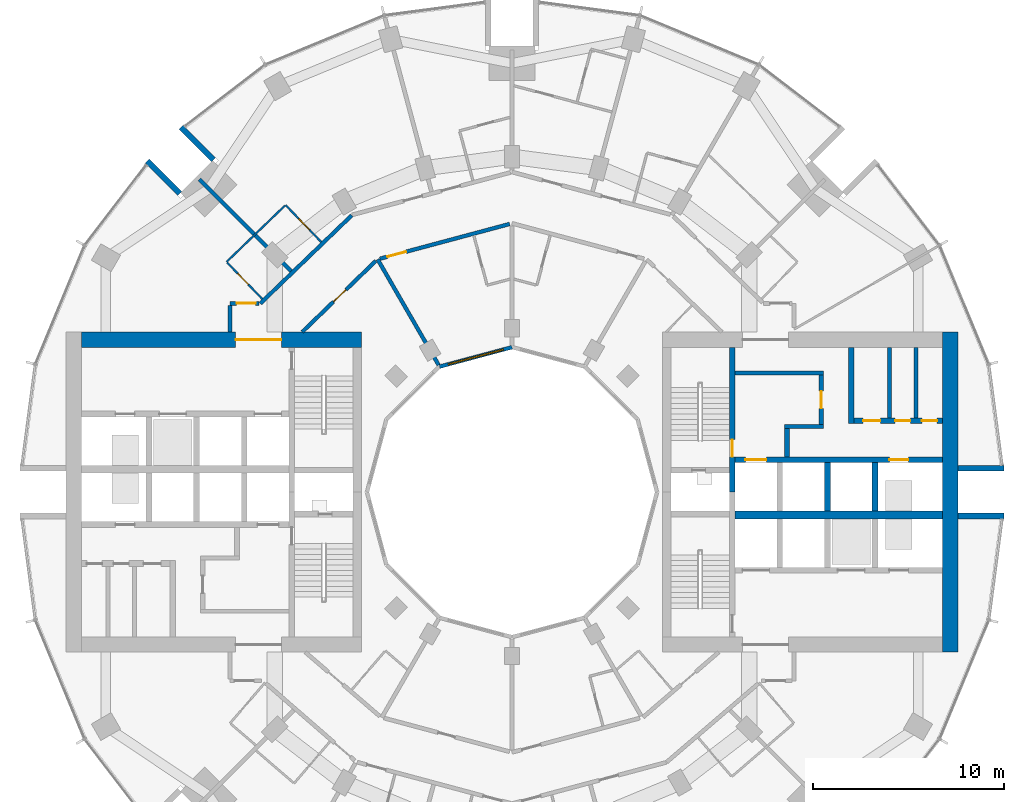
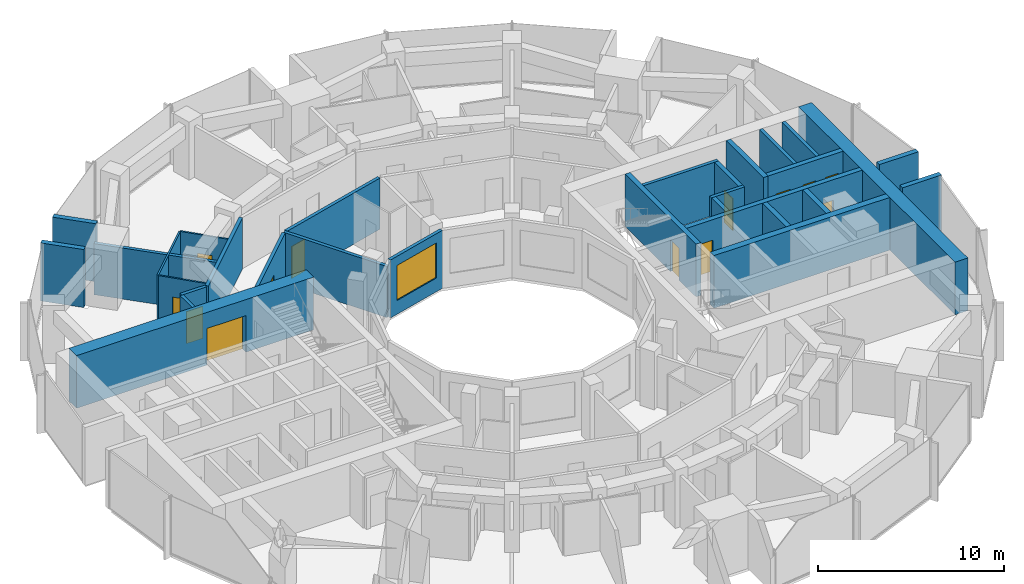
# One storey, part 11 of 15: 30 walls, 13 doors, 1 window, 14 openings.
"""IFC4 building model written with IfcOpenShell, lengths in metres."""

from ifc_helpers import new_model, si_unit, direction, frame, frame_2d, origin, place, context, subcontext, project, spatial, rectangle, extrude, material, layer, layer_set, type_object, element, fill, save


model = new_model("IFC4")

# Units and contexts
model_context = context("Model", 3, precision=1e-05, world=origin(), true_north=direction((0.0, 1.0)))
body_context = subcontext(model_context, "Body", "Model", "MODEL_VIEW")
ifc_project = project(units=[si_unit("LENGTHUNIT", "METRE"), si_unit("AREAUNIT", "SQUARE_METRE"), si_unit("VOLUMEUNIT", "CUBIC_METRE"), si_unit("PLANEANGLEUNIT", "RADIAN"), si_unit("MASSUNIT", "GRAM", prefix="KILO")], contexts=[model_context])

# Site, building, storey
site_placement = place(None, origin())
site = spatial("IfcSite", under=ifc_project, at=site_placement, CompositionType="ELEMENT")
building_placement = place(site_placement, origin())
building = spatial("IfcBuilding", under=site, at=building_placement, Name="Torre Brocal", CompositionType="ELEMENT")
storey_placement = place(building_placement, frame((0.0, 0.0, 105.199951171875)))
storey = spatial("IfcBuildingStorey", under=building, at=storey_placement, Name="L24", CompositionType="ELEMENT", Elevation=105.199951171875)

# Walls
ifc_material_1 = material(Name="Masonry block", Category="masonry")
ifc_layer_1 = layer(ifc_material_1, 0.199951171875)
ifc_layer_set_1 = layer_set([ifc_layer_1], Name="Masonry block")
wall_type_1 = type_object("IfcWallType", Name="CORE PARTITION 200 UNDER 350 SLAB", PredefinedType="PARTITIONING", material=ifc_layer_set_1)
for number, where, z_axis, x_axis, name in (
    (1, (99.81005859375, 78.89990234375, 0.0), (0.0, 0.0, 1.0), (0.0, 1.0, 0.0), "Wall CP200-S350"),
    (2, (101.205078125, 78.89990234375, 0.0), (0.0, 0.0, 1.0), (0.0, 1.0, 0.0), "Wall CP200-S350"),
):
    element("IfcWall", number, at=place(storey_placement, frame(where, z_axis=z_axis, x_axis=x_axis)), inside=storey, type_object=wall_type_1, Name=name, PredefinedType="PARTITIONING", context=body_context, shape_type="SweptSolid", body=[
        extrude(rectangle(XDim=3.7001953125, YDim=0.199951171875, at=frame_2d((1.85009765625, 0.0))), origin(), (0.0, 0.0, 1.0), 3.449951171875),
    ])
ifc_material_2 = material(Name="Concrete C80", Category="concrete")
ifc_layer_2 = layer(ifc_material_2, 0.199951171875)
ifc_layer_set_2 = layer_set([ifc_layer_2], Name="Concrete C80")
wall_type_2 = type_object("IfcWallType", Name="CORE WALL 200 C80 UNDER 350 SLAB", PredefinedType="SHEAR", material=ifc_layer_set_2)
wall_1_placement = place(storey_placement, frame((91.699951171875, 81.25, 0.0), z_axis=(0.0, 0.0, 1.0), x_axis=(1.0, 0.0, 0.0)))
element("IfcWall", 3, at=wall_1_placement, inside=storey, type_object=wall_type_2, Name="Wall CW200-80-S350", PredefinedType="SHEAR", context=body_context, shape_type="SweptSolid", body=[
    extrude(rectangle(XDim=4.650146484375, YDim=0.199951171875, at=frame_2d((2.3251953125, 0.0))), origin(), (0.0, 0.0, 1.0), 3.449951171875),
])
wall_2_placement = place(storey_placement, frame((94.300048828125, 78.449951171875, 0.0), z_axis=(0.0, 0.0, 1.0), x_axis=(1.0, 0.0, 0.0)))
element("IfcWall", 4, at=wall_2_placement, inside=storey, type_object=wall_type_2, Name="Wall CW200-80-S350", PredefinedType="SHEAR", context=body_context, shape_type="SweptSolid", body=[
    extrude(rectangle(XDim=2.050048828125, YDim=0.199951171875, at=frame_2d((1.02490234375, 0.0))), origin(), (0.0, 0.0, 1.0), 3.449951171875),
])

# Wall, opening, door
ifc_material_3 = material(Name="Concrete C80", Category="concrete")
ifc_layer_3 = layer(ifc_material_3, 0.25)
ifc_layer_set_3 = layer_set([ifc_layer_3], Name="Concrete C80")
wall_type_3 = type_object("IfcWallType", Name="CORE WALL 250 C80 UNDER 350 SLAB", PredefinedType="SHEAR", material=ifc_layer_set_3)
wall_3_placement = place(storey_placement, frame((96.22509765625, 78.550048828125, 0.0), z_axis=(0.0, 0.0, 1.0), x_axis=(0.0, 1.0, 0.0)))
wall_3 = element("IfcWall", 5, at=wall_3_placement, inside=storey, type_object=wall_type_3, Name="Wall CW250-80-S350", PredefinedType="SHEAR", context=body_context, shape_type="SweptSolid", body=[
    extrude(rectangle(XDim=2.599853515625, YDim=0.25, at=frame_2d((1.2998046875, 0.0))), origin(), (0.0, 0.0, 1.0), 3.449951171875),
])
opening_1_placement = place(wall_3_placement, frame((0.85009765625, 0.0, 0.0)))
opening_1 = element("IfcOpeningElement", 6, at=opening_1_placement, cuts=wall_3, Name="Opening E-D15", PredefinedType="OPENING", context=body_context, shape_type="SweptSolid", body=[
    extrude(rectangle(XDim=0.89990234375, YDim=2.10009765625, at=frame_2d((0.449951171875, 1.050048828125))), frame((0.0, 0.135009765625, 0.0), z_axis=(0.0, -1.0, 0.0), x_axis=(1.0, 0.0, 0.0)), (0.0, 0.0, 1.0), 0.27001953125),
])
ifc_material_4 = material(Name="Steel A653", Category="steel")
door_type_1 = type_object("IfcDoorType", Name="LOBBY DOOR FD120 900X2100", OperationType="SINGLE_SWING_RIGHT", PredefinedType="DOOR", material=ifc_material_4)
door_1_placement = place(opening_1_placement, origin())
door_1 = element("IfcDoor", 7, at=door_1_placement, inside=storey, type_object=door_type_1, Name="Door E-D15", OperationType="SINGLE_SWING_LEFT", OverallHeight=2.10009765625, OverallWidth=0.89990234375, PredefinedType="DOOR", context=body_context, shape_type="SweptSolid", body=[
    extrude(rectangle(XDim=0.89990234375, YDim=2.10009765625, at=frame_2d((0.449951171875, 1.050048828125))), frame((0.0, 0.02490234375, 0.0), z_axis=(0.0, -1.0, 0.0), x_axis=(1.0, 0.0, 0.0)), (0.0, 0.0, 1.0), 0.050048828125),
])
fill(opening_1, door_1)

# Wall
wall_4_placement = place(storey_placement, frame((94.425048828125, 76.85009765625, 0.0), z_axis=(0.0, 0.0, 1.0), x_axis=(0.0, 1.0, 0.0)))
element("IfcWall", 8, at=wall_4_placement, inside=storey, type_object=wall_type_3, Name="Wall CW250-80-S350", PredefinedType="SHEAR", context=body_context, shape_type="SweptSolid", body=[
    extrude(rectangle(XDim=1.5, YDim=0.25, at=frame_2d((0.75, 0.0))), origin(), (0.0, 0.0, 1.0), 3.449951171875),
])

# Wall, opening, door
ifc_material_5 = material(Name="Concrete C80", Category="concrete")
ifc_layer_4 = layer(ifc_material_5, 0.300048828125)
ifc_layer_set_4 = layer_set([ifc_layer_4], Name="Concrete C80")
wall_type_4 = type_object("IfcWallType", Name="CORE WALL 300 C80 UNDER 350 SLAB", PredefinedType="SHEAR", material=ifc_layer_set_4)
wall_5_placement = place(storey_placement, frame((91.550048828125, 75.0, 0.0), z_axis=(0.0, 0.0, 1.0), x_axis=(0.0, 1.0, 0.0)))
wall_5 = element("IfcWall", 9, at=wall_5_placement, inside=storey, type_object=wall_type_4, Name="Wall CW300-80-S350", PredefinedType="SHEAR", context=body_context, shape_type="SweptSolid", body=[
    extrude(rectangle(XDim=7.60009765625, YDim=0.300048828125, at=frame_2d((3.800048828125, 0.0))), origin(), (0.0, 0.0, 1.0), 3.449951171875),
])
opening_2_placement = place(wall_5_placement, frame((1.85009765625, 0.0, 0.0)))
opening_2 = element("IfcOpeningElement", 10, at=opening_2_placement, cuts=wall_5, Name="Opening E-D02", PredefinedType="OPENING", context=body_context, shape_type="SweptSolid", body=[
    extrude(rectangle(XDim=0.89990234375, YDim=2.10009765625, at=frame_2d((0.449951171875, 1.050048828125))), frame((0.0, 0.159912109375, 0.0), z_axis=(0.0, -1.0, 0.0), x_axis=(1.0, 0.0, 0.0)), (0.0, 0.0, 1.0), 0.320068359375),
])
ifc_material_6 = material(Name="Steel A653", Category="steel")
door_type_2 = type_object("IfcDoorType", Name="STAIR DOOR FD120 900X2100", OperationType="SINGLE_SWING_RIGHT", PredefinedType="DOOR", material=ifc_material_6)
door_2_placement = place(opening_2_placement, origin())
door_2 = element("IfcDoor", 11, at=door_2_placement, inside=storey, type_object=door_type_2, Name="Door E-D02", OperationType="SINGLE_SWING_LEFT", OverallHeight=2.10009765625, OverallWidth=0.89990234375, PredefinedType="DOOR", context=body_context, shape_type="SweptSolid", body=[
    extrude(rectangle(XDim=0.89990234375, YDim=2.10009765625, at=frame_2d((0.449951171875, 1.050048828125))), frame((0.0, 0.02490234375, 0.0), z_axis=(0.0, -1.0, 0.0), x_axis=(1.0, 0.0, 0.0)), (0.0, 0.0, 1.0), 0.050048828125),
])
fill(opening_2, door_2)

# Wall, openings, doors
wall_6_placement = place(storey_placement, frame((91.699951171875, 76.699951171875, 0.0), z_axis=(0.0, 0.0, 1.0), x_axis=(1.0, 0.0, 0.0)))
wall_6 = element("IfcWall", 12, at=wall_6_placement, inside=storey, type_object=wall_type_4, Name="Wall CW300-80-S350", PredefinedType="SHEAR", context=body_context, shape_type="SweptSolid", body=[
    extrude(rectangle(XDim=10.900146484375, YDim=0.300048828125, at=frame_2d((5.4501953125, 0.0))), origin(), (0.0, 0.0, 1.0), 3.449951171875),
])
opening_3_placement = place(wall_6_placement, frame((0.550048828125, 0.0, 0.0)))
opening_3 = element("IfcOpeningElement", 13, at=opening_3_placement, cuts=wall_6, Name="Opening LD", PredefinedType="OPENING", context=body_context, shape_type="SweptSolid", body=[
    extrude(rectangle(XDim=1.10009765625, YDim=2.10009765625, at=frame_2d((0.550048828125, 1.050048828125))), frame((0.0, 0.159912109375, 0.0), z_axis=(0.0, -1.0, 0.0), x_axis=(1.0, 0.0, 0.0)), (0.0, 0.0, 1.0), 0.320068359375),
])
opening_4_placement = place(wall_6_placement, frame((8.10009765625, 0.0, 0.0)))
opening_4 = element("IfcOpeningElement", 14, at=opening_4_placement, cuts=wall_6, Name="Opening LD10", PredefinedType="OPENING", context=body_context, shape_type="SweptSolid", body=[
    extrude(rectangle(XDim=1.0, YDim=2.10009765625, at=frame_2d((0.5, 1.050048828125))), frame((0.0, 0.159912109375, 0.0), z_axis=(0.0, -1.0, 0.0), x_axis=(1.0, 0.0, 0.0)), (0.0, 0.0, 1.0), 0.320068359375),
])
ifc_material_7 = material(Name="Stainless steel AISI 316", Category="steel")
door_type_3 = type_object("IfcDoorType", Name="LIFT LANDING DOOR 1000X2100", OperationType="DOUBLE_DOOR_SLIDING", PredefinedType="DOOR", material=ifc_material_7)
door_3_placement = place(opening_4_placement, origin())
door_3 = element("IfcDoor", 15, at=door_3_placement, inside=storey, type_object=door_type_3, Name="Door LD10", OperationType="DOUBLE_DOOR_SLIDING", OverallHeight=2.10009765625, OverallWidth=1.0, PredefinedType="DOOR", context=body_context, shape_type="SweptSolid", body=[
    extrude(rectangle(XDim=1.0, YDim=2.10009765625, at=frame_2d((0.5, 1.050048828125))), frame((0.0, 0.02490234375, 0.0), z_axis=(0.0, -1.0, 0.0), x_axis=(1.0, 0.0, 0.0)), (0.0, 0.0, 1.0), 0.050048828125),
])
fill(opening_4, door_3)
ifc_material_8 = material(Name="Stainless steel AISI 316", Category="steel")
door_type_4 = type_object("IfcDoorType", Name="LIFT LANDING DOOR 1100X2100", OperationType="DOUBLE_DOOR_SLIDING", PredefinedType="DOOR", material=ifc_material_8)
door_4_placement = place(opening_3_placement, origin())
door_4 = element("IfcDoor", 16, at=door_4_placement, inside=storey, type_object=door_type_4, Name="Door LD", OperationType="DOUBLE_DOOR_SLIDING", OverallHeight=2.10009765625, OverallWidth=1.10009765625, PredefinedType="DOOR", context=body_context, shape_type="SweptSolid", body=[
    extrude(rectangle(XDim=1.10009765625, YDim=2.10009765625, at=frame_2d((0.550048828125, 1.050048828125))), frame((0.0, 0.02490234375, 0.0), z_axis=(0.0, -1.0, 0.0), x_axis=(1.0, 0.0, 0.0)), (0.0, 0.0, 1.0), 0.050048828125),
])
fill(opening_3, door_4)

# Walls
for number, where, z_axis, x_axis, name in (
    (17, (96.550048828125, 74.0, 0.0), (0.0, 0.0, 1.0), (0.0, 1.0, 0.0), "Wall CW300-80-S350"),
    (18, (99.050048828125, 74.0, 0.0), (0.0, 0.0, 1.0), (0.0, 1.0, 0.0), "Wall CW300-80-S350"),
):
    element("IfcWall", number, at=place(storey_placement, frame(where, z_axis=z_axis, x_axis=x_axis)), inside=storey, type_object=wall_type_4, Name=name, PredefinedType="SHEAR", context=body_context, shape_type="SweptSolid", body=[
        extrude(rectangle(XDim=2.550048828125, YDim=0.300048828125, at=frame_2d((1.27490234375, 0.0))), origin(), (0.0, 0.0, 1.0), 3.449951171875),
    ])
wall_7_placement = place(storey_placement, frame((97.800048828125, 78.60009765625, 0.0), z_axis=(0.0, 0.0, 1.0), x_axis=(0.0, 1.0, 0.0)))
element("IfcWall", 19, at=wall_7_placement, inside=storey, type_object=wall_type_4, Name="Wall CW300-80-S350", PredefinedType="SHEAR", context=body_context, shape_type="SweptSolid", body=[
    extrude(rectangle(XDim=4.0, YDim=0.300048828125, at=frame_2d((2.0, 0.0))), origin(), (0.0, 0.0, 1.0), 3.449951171875),
])

# Wall, openings, doors
wall_8_placement = place(storey_placement, frame((97.949951171875, 78.75, 0.0), z_axis=(0.0, 0.0, 1.0), x_axis=(1.0, 0.0, 0.0)))
wall_8 = element("IfcWall", 20, at=wall_8_placement, inside=storey, type_object=wall_type_4, Name="Wall CW300-80-S350", PredefinedType="SHEAR", context=body_context, shape_type="SweptSolid", body=[
    extrude(rectangle(XDim=4.650146484375, YDim=0.300048828125, at=frame_2d((2.3251953125, 0.0))), origin(), (0.0, 0.0, 1.0), 3.449951171875),
])
opening_5_placement = place(wall_8_placement, frame((0.47998046875, 0.0, 0.0)))
opening_5 = element("IfcOpeningElement", 21, at=opening_5_placement, cuts=wall_8, Name="Opening E-D05", PredefinedType="OPENING", context=body_context, shape_type="SweptSolid", body=[
    extrude(rectangle(XDim=0.89990234375, YDim=2.10009765625, at=frame_2d((0.449951171875, 1.050048828125))), frame((0.0, 0.159912109375, 0.0), z_axis=(0.0, -1.0, 0.0), x_axis=(1.0, 0.0, 0.0)), (0.0, 0.0, 1.0), 0.320068359375),
])
opening_6_placement = place(wall_8_placement, frame((2.157470703125, 0.0, 0.0)))
opening_6 = element("IfcOpeningElement", 22, at=opening_6_placement, cuts=wall_8, Name="Opening E-D22", PredefinedType="OPENING", context=body_context, shape_type="SweptSolid", body=[
    extrude(rectangle(XDim=0.800048828125, YDim=2.10009765625, at=frame_2d((0.39990234375, 1.050048828125))), frame((0.0, 0.159912109375, 0.0), z_axis=(0.0, -1.0, 0.0), x_axis=(1.0, 0.0, 0.0)), (0.0, 0.0, 1.0), 0.320068359375),
])
opening_7_placement = place(wall_8_placement, frame((3.552490234375, 0.0, 0.0)))
opening_7 = element("IfcOpeningElement", 23, at=opening_7_placement, cuts=wall_8, Name="Opening E-D25", PredefinedType="OPENING", context=body_context, shape_type="SweptSolid", body=[
    extrude(rectangle(XDim=0.800048828125, YDim=2.10009765625, at=frame_2d((0.39990234375, 1.050048828125))), frame((0.0, 0.159912109375, 0.0), z_axis=(0.0, -1.0, 0.0), x_axis=(1.0, 0.0, 0.0)), (0.0, 0.0, 1.0), 0.320068359375),
])
ifc_material_9 = material(Name="Steel A653", Category="steel")
door_type_5 = type_object("IfcDoorType", Name="ROOM DOOR FD30S 800X2100", OperationType="SINGLE_SWING_LEFT", PredefinedType="DOOR", material=ifc_material_9)
door_5_placement = place(opening_6_placement, origin())
door_5 = element("IfcDoor", 24, at=door_5_placement, inside=storey, type_object=door_type_5, Name="Door E-D22", OperationType="SINGLE_SWING_RIGHT", OverallHeight=2.10009765625, OverallWidth=0.800048828125, PredefinedType="DOOR", context=body_context, shape_type="SweptSolid", body=[
    extrude(rectangle(XDim=0.800048828125, YDim=2.10009765625, at=frame_2d((0.39990234375, 1.050048828125))), frame((0.0, 0.02490234375, 0.0), z_axis=(0.0, -1.0, 0.0), x_axis=(1.0, 0.0, 0.0)), (0.0, 0.0, 1.0), 0.050048828125),
])
fill(opening_6, door_5)
door_6_placement = place(opening_7_placement, origin())
door_6 = element("IfcDoor", 25, at=door_6_placement, inside=storey, type_object=door_type_5, Name="Door E-D25", OperationType="SINGLE_SWING_LEFT", OverallHeight=2.10009765625, OverallWidth=0.800048828125, PredefinedType="DOOR", context=body_context, shape_type="SweptSolid", body=[
    extrude(rectangle(XDim=0.800048828125, YDim=2.10009765625, at=frame_2d((0.39990234375, 1.050048828125))), frame((0.0, 0.02490234375, 0.0), z_axis=(0.0, -1.0, 0.0), x_axis=(1.0, 0.0, 0.0)), (0.0, 0.0, 1.0), 0.050048828125),
])
fill(opening_7, door_6)
ifc_material_10 = material(Name="Steel A653", Category="steel")
door_type_6 = type_object("IfcDoorType", Name="ROOM DOOR FD30S 900X2100", OperationType="SINGLE_SWING_LEFT", PredefinedType="DOOR", material=ifc_material_10)
door_7_placement = place(opening_5_placement, origin())
door_7 = element("IfcDoor", 26, at=door_7_placement, inside=storey, type_object=door_type_6, Name="Door E-D05", OperationType="SINGLE_SWING_RIGHT", OverallHeight=2.10009765625, OverallWidth=0.89990234375, PredefinedType="DOOR", context=body_context, shape_type="SweptSolid", body=[
    extrude(rectangle(XDim=0.89990234375, YDim=2.10009765625, at=frame_2d((0.449951171875, 1.050048828125))), frame((0.0, 0.02490234375, 0.0), z_axis=(0.0, -1.0, 0.0), x_axis=(1.0, 0.0, 0.0)), (0.0, 0.0, 1.0), 0.050048828125),
])
fill(opening_5, door_7)

# Walls
ifc_material_11 = material(Name="Concrete C80", Category="concrete")
ifc_layer_5 = layer(ifc_material_11, 0.39990234375)
ifc_layer_set_5 = layer_set([ifc_layer_5], Name="Concrete C80")
wall_type_5 = type_object("IfcWallType", Name="CORE WALL 400 C80 UNDER 350 SLAB", PredefinedType="SHEAR", material=ifc_layer_set_5)
wall_9_placement = place(storey_placement, frame((91.699951171875, 73.800048828125, 0.0), z_axis=(0.0, 0.0, 1.0), x_axis=(1.0, 0.0, 0.0)))
element("IfcWall", 27, at=wall_9_placement, inside=storey, type_object=wall_type_5, Name="Wall CW400-80-S350", PredefinedType="SHEAR", context=body_context, shape_type="SweptSolid", body=[
    extrude(rectangle(XDim=10.900146484375, YDim=0.39990234375, at=frame_2d((5.4501953125, 0.0))), origin(), (0.0, 0.0, 1.0), 3.449951171875),
])
ifc_material_12 = material(Name="Concrete C80", Category="concrete")
ifc_layer_6 = layer(ifc_material_12, 0.800048828125)
ifc_layer_set_6 = layer_set([ifc_layer_6], Name="Concrete C80")
wall_type_6 = type_object("IfcWallType", Name="CORE WALL 800 C80 UNDER 350 SLAB", PredefinedType="SHEAR", material=ifc_layer_set_6)
wall_10_placement = place(storey_placement, frame((103.0, 66.60009765625, 0.0), z_axis=(0.0, 0.0, 1.0), x_axis=(0.0, 1.0, 0.0)))
element("IfcWall", 28, at=wall_10_placement, inside=storey, type_object=wall_type_6, Name="Wall CW800-80-S350", PredefinedType="SHEAR", context=body_context, shape_type="SweptSolid", body=[
    extrude(rectangle(XDim=16.7998046875, YDim=0.800048828125, at=frame_2d((8.39990234375, 0.0))), origin(), (0.0, 0.0, 1.0), 3.449951171875),
])

# Wall, opening, door
wall_11_placement = place(storey_placement, frame((72.10009765625, 83.0, 0.0), z_axis=(0.0, 0.0, 1.0), x_axis=(-1.0, 0.0, 0.0)))
wall_11 = element("IfcWall", 29, at=wall_11_placement, inside=storey, type_object=wall_type_6, Name="Wall CW800-80-S350", PredefinedType="SHEAR", context=body_context, shape_type="SweptSolid", body=[
    extrude(rectangle(XDim=14.7001953125, YDim=0.800048828125, at=frame_2d((7.35009765625, 0.0))), origin(), (0.0, 0.0, 1.0), 3.449951171875),
])
opening_8_placement = place(wall_11_placement, frame((4.199951171875, 0.0, 0.0)))
opening_8 = element("IfcOpeningElement", 30, at=opening_8_placement, cuts=wall_11, Name="Opening W-D30", PredefinedType="OPENING", context=body_context, shape_type="SweptSolid", body=[
    extrude(rectangle(XDim=2.39990234375, YDim=2.39990234375, at=frame_2d((1.199951171875, 1.199951171875))), frame((0.0, 0.409912109375, 0.0), z_axis=(0.0, -1.0, 0.0), x_axis=(1.0, 0.0, 0.0)), (0.0, 0.0, 1.0), 0.820068359375),
])
ifc_material_13 = material(Name="Steel A653", Category="steel")
door_type_7 = type_object("IfcDoorType", Name="DOUBLE FIRE DOOR FD90 2400X2400", OperationType="DOUBLE_DOOR_SINGLE_SWING", PredefinedType="DOOR", material=ifc_material_13)
door_8_placement = place(opening_8_placement, origin())
door_8 = element("IfcDoor", 31, at=door_8_placement, inside=storey, type_object=door_type_7, Name="Door W-D30", OperationType="DOUBLE_DOOR_SINGLE_SWING", OverallHeight=2.39990234375, OverallWidth=2.39990234375, PredefinedType="DOOR", context=body_context, shape_type="SweptSolid", body=[
    extrude(rectangle(XDim=2.39990234375, YDim=2.39990234375, at=frame_2d((1.199951171875, 1.199951171875))), frame((0.0, 0.02490234375, 0.0), z_axis=(0.0, -1.0, 0.0), x_axis=(1.0, 0.0, 0.0)), (0.0, 0.0, 1.0), 0.050048828125),
])
fill(opening_8, door_8)

# Walls
ifc_material_14 = material(Name="Concrete C80", Category="concrete")
ifc_layer_7 = layer(ifc_material_14, 0.300048828125)
ifc_layer_set_7 = layer_set([ifc_layer_7], Name="Concrete C80")
wall_type_7 = type_object("IfcWallType", Name="NOTCH RETURN WALL 300 C80", PredefinedType="NOTDEFINED", material=ifc_layer_set_7)
for number, where, z_axis, x_axis, name in (
    (32, (103.39990234375, 73.75, 0.0), (0.0, 0.0, 1.0), (1.0, 0.0, 0.0), "NOTCH RETURN WALL"),
    (33, (103.39990234375, 76.25, 0.0), (0.0, 0.0, 1.0), (1.0, 0.0, 0.0), "NOTCH RETURN WALL"),
    (34, (64.337646484375, 92.43017578125, 0.0), (0.0, 0.0, 1.0), (-0.707106781187, 0.707106781187, 0.0), "NOTCH RETURN WALL"),
    (35, (62.56982421875, 90.662353515625, 0.0), (0.0, 0.0, 1.0), (-0.707106781187, 0.707106781187, 0.0), "NOTCH RETURN WALL"),
):
    element("IfcWall", number, at=place(storey_placement, frame(where, z_axis=z_axis, x_axis=x_axis)), inside=storey, type_object=wall_type_7, Name=name, PredefinedType="NOTDEFINED", context=body_context, shape_type="SweptSolid", body=[
        extrude(rectangle(XDim=2.415771484375, YDim=0.300048828125, at=frame_2d((1.2080078125, 0.0))), origin(), (0.0, 0.0, 1.0), 3.800048828125),
    ])

# Wall, opening, door
ifc_material_15 = material(Name="Gypsum board", Category="Gypsum")
ifc_layer_8 = layer(ifc_material_15, 0.10009765625)
ifc_layer_set_8 = layer_set([ifc_layer_8], Name="Gypsum board")
wall_type_8 = type_object("IfcWallType", Name="PARTITION 100", PredefinedType="PARTITIONING", material=ifc_layer_set_8)
wall_12_placement = place(storey_placement, frame((65.056640625, 87.04296875, 0.0), z_axis=(0.0, 0.0, 1.0), x_axis=(0.694324808789, -0.719661767708, 0.0)))
wall_12 = element("IfcWall", 36, at=wall_12_placement, inside=storey, type_object=wall_type_8, Name="BATHROOM WALL", PredefinedType="PARTITIONING", context=body_context, shape_type="SweptSolid", body=[
    extrude(rectangle(XDim=2.64990234375, YDim=0.10009765625, at=frame_2d((1.324951171875, 0.0))), origin(), (0.0, 0.0, 1.0), 3.35009765625),
])
opening_9_placement = place(wall_12_placement, frame((0.7998046875, 0.0, 0.0)))
opening_9 = element("IfcOpeningElement", 37, at=opening_9_placement, cuts=wall_12, Name="Opening H07-D16", PredefinedType="OPENING", context=body_context, shape_type="SweptSolid", body=[
    extrude(rectangle(XDim=0.800048828125, YDim=2.10009765625, at=frame_2d((0.39990234375, 1.050048828125))), frame((0.0, 0.06005859375, 0.0), z_axis=(0.0, -1.0, 0.0), x_axis=(1.0, 0.0, 0.0)), (0.0, 0.0, 1.0), 0.1201171875),
])
ifc_material_16 = material(Name="Timber", Category="wood")
door_type_8 = type_object("IfcDoorType", Name="BATHROOM DOOR 800X2100", OperationType="SINGLE_SWING_LEFT", PredefinedType="DOOR", material=ifc_material_16)
door_9_placement = place(opening_9_placement, origin())
door_9 = element("IfcDoor", 38, at=door_9_placement, inside=storey, type_object=door_type_8, Name="H07-D16", OperationType="SINGLE_SWING_LEFT", OverallHeight=2.10009765625, OverallWidth=0.800048828125, PredefinedType="DOOR", context=body_context, shape_type="SweptSolid", body=[
    extrude(rectangle(XDim=0.800048828125, YDim=2.10009765625, at=frame_2d((0.39990234375, 1.050048828125))), frame((0.0, 0.02490234375, 0.0), z_axis=(0.0, -1.0, 0.0), x_axis=(1.0, 0.0, 0.0)), (0.0, 0.0, 1.0), 0.050048828125),
])
fill(opening_9, door_9)

# Wall
wall_13_placement = place(storey_placement, frame((65.02197265625, 87.0791015625, 0.0), z_axis=(0.0, 0.0, 1.0), x_axis=(0.719684404795, 0.694301344875, 0.0)))
element("IfcWall", 39, at=wall_13_placement, inside=storey, type_object=wall_type_8, Name="BATHROOM WALL", PredefinedType="PARTITIONING", context=body_context, shape_type="SweptSolid", body=[
    extrude(rectangle(XDim=4.251220703125, YDim=0.10009765625, at=frame_2d((2.12548828125, 0.0))), origin(), (0.0, 0.0, 1.0), 3.35009765625),
])

# Wall, opening, door
wall_14_placement = place(storey_placement, frame((68.116943359375, 90.06591796875, 0.0), z_axis=(0.0, 0.0, 1.0), x_axis=(0.694379853631, -0.719608656751, 0.0)))
wall_14 = element("IfcWall", 40, at=wall_14_placement, inside=storey, type_object=wall_type_8, Name="BATHROOM WALL", PredefinedType="PARTITIONING", context=body_context, shape_type="SweptSolid", body=[
    extrude(rectangle(XDim=2.699951171875, YDim=0.10009765625, at=frame_2d((1.35009765625, 0.0))), origin(), (0.0, 0.0, 1.0), 3.35009765625),
])
opening_10_placement = place(wall_14_placement, frame((1.0, 0.0, 0.0)))
opening_10 = element("IfcOpeningElement", 41, at=opening_10_placement, cuts=wall_14, Name="Opening H07-D14", PredefinedType="OPENING", context=body_context, shape_type="SweptSolid", body=[
    extrude(rectangle(XDim=0.800048828125, YDim=2.10009765625, at=frame_2d((0.39990234375, 1.050048828125))), frame((0.0, 0.06005859375, 0.0), z_axis=(0.0, -1.0, 0.0), x_axis=(1.0, 0.0, 0.0)), (0.0, 0.0, 1.0), 0.1201171875),
])
door_10_placement = place(opening_10_placement, frame((0.800048828125, 0.0, 0.0), z_axis=(0.0, 0.0, 1.0), x_axis=(-1.0, 0.0, 0.0)))
door_10 = element("IfcDoor", 42, at=door_10_placement, inside=storey, type_object=door_type_8, Name="H07-D14", OperationType="SINGLE_SWING_LEFT", OverallHeight=2.10009765625, OverallWidth=0.800048828125, PredefinedType="DOOR", context=body_context, shape_type="SweptSolid", body=[
    extrude(rectangle(XDim=0.800048828125, YDim=2.10009765625, at=frame_2d((0.39990234375, 1.050048828125))), frame((0.0, 0.02490234375, 0.0), z_axis=(0.0, -1.0, 0.0), x_axis=(1.0, 0.0, 0.0)), (0.0, 0.0, 1.0), 0.050048828125),
])
fill(opening_10, door_10)

# Walls
ifc_material_17 = material(Name="Gypsum board", Category="Gypsum")
ifc_layer_9 = layer(ifc_material_17, 0.199951171875)
ifc_layer_set_9 = layer_set([ifc_layer_9], Name="Gypsum board")
wall_type_9 = type_object("IfcWallType", Name="PARTITION 200 EI60", PredefinedType="PARTITIONING", material=ifc_layer_set_9)
wall_15_placement = place(storey_placement, frame((63.598388671875, 91.4072265625, 0.0), z_axis=(0.0, 0.0, 1.0), x_axis=(0.706981183365, -0.707232356703, 0.0)))
element("IfcWall", 43, at=wall_15_placement, inside=storey, type_object=wall_type_9, Name="BATHROOM WALL", PredefinedType="PARTITIONING", context=body_context, shape_type="SweptSolid", body=[
    extrude(rectangle(XDim=6.803955078125, YDim=0.199951171875, at=frame_2d((3.40185546875, 0.0))), origin(), (0.0, 0.0, 1.0), 3.35009765625),
])
wall_16_placement = place(storey_placement, frame((65.199951171875, 83.40087890625, 0.0), z_axis=(0.0, 0.0, 1.0), x_axis=(0.0, 1.0, 0.0)))
element("IfcWall", 44, at=wall_16_placement, inside=storey, type_object=wall_type_9, Name="GUESTROOM CORRIDOR WALL", PredefinedType="PARTITIONING", context=body_context, shape_type="SweptSolid", body=[
    extrude(rectangle(XDim=1.399169921875, YDim=0.199951171875, at=frame_2d((0.69970703125, 0.0))), origin(), (0.0, 0.0, 1.0), 3.35009765625),
])

# Wall, opening, door
wall_17_placement = place(storey_placement, frame((65.199951171875, 84.89990234375, 0.0), z_axis=(0.0, 0.0, 1.0), x_axis=(1.0, 0.0, 0.0)))
wall_17 = element("IfcWall", 45, at=wall_17_placement, inside=storey, type_object=wall_type_9, Name="GUESTROOM CORRIDOR WALL", PredefinedType="PARTITIONING", context=body_context, shape_type="SweptSolid", body=[
    extrude(rectangle(XDim=1.5361328125, YDim=0.199951171875, at=frame_2d((0.76806640625, 0.0))), origin(), (0.0, 0.0, 1.0), 3.35009765625),
])
opening_11_placement = place(wall_17_placement, frame((0.346923828125, 0.0, 0.0)))
opening_11 = element("IfcOpeningElement", 46, at=opening_11_placement, cuts=wall_17, Name="Opening H07-D15", PredefinedType="OPENING", context=body_context, shape_type="SweptSolid", body=[
    extrude(rectangle(XDim=1.0, YDim=2.10009765625, at=frame_2d((0.5, 1.050048828125))), frame((0.0, 0.10986328125, 0.0), z_axis=(0.0, -1.0, 0.0), x_axis=(1.0, 0.0, 0.0)), (0.0, 0.0, 1.0), 0.219970703125),
])
ifc_material_18 = material(Name="Timber", Category="wood")
door_type_9 = type_object("IfcDoorType", Name="FLAT ENTRY DOOR FD30S 1000X2100", OperationType="SINGLE_SWING_RIGHT", PredefinedType="DOOR", material=ifc_material_18)
door_11_placement = place(opening_11_placement, origin())
door_11 = element("IfcDoor", 47, at=door_11_placement, inside=storey, type_object=door_type_9, Name="H07-D15", OperationType="SINGLE_SWING_LEFT", OverallHeight=2.10009765625, OverallWidth=1.0, PredefinedType="DOOR", context=body_context, shape_type="SweptSolid", body=[
    extrude(rectangle(XDim=1.0, YDim=2.10009765625, at=frame_2d((0.5, 1.050048828125))), frame((0.0, 0.02490234375, 0.0), z_axis=(0.0, -1.0, 0.0), x_axis=(1.0, 0.0, 0.0)), (0.0, 0.0, 1.0), 0.050048828125),
])
fill(opening_11, door_11)

# Wall
wall_18_placement = place(storey_placement, frame((66.79541015625, 84.900390625, 0.0), z_axis=(0.0, 0.0, 1.0), x_axis=(0.719793233107, 0.694188520197, 0.0)))
element("IfcWall", 48, at=wall_18_placement, inside=storey, type_object=wall_type_9, Name="GUESTROOM CORRIDOR WALL", PredefinedType="PARTITIONING", context=body_context, shape_type="SweptSolid", body=[
    extrude(rectangle(XDim=6.655517578125, YDim=0.199951171875, at=frame_2d((3.32763671875, 0.0))), origin(), (0.0, 0.0, 1.0), 3.35009765625),
])

# Wall, opening, door
wall_19_placement = place(storey_placement, frame((68.987060546875, 83.39990234375, 0.0), z_axis=(0.0, 0.0, 1.0), x_axis=(0.719547721855, 0.694442996922, 0.0)))
wall_19 = element("IfcWall", 49, at=wall_19_placement, inside=storey, type_object=wall_type_9, Name="CORRIDOR WALL", PredefinedType="PARTITIONING", context=body_context, shape_type="SweptSolid", body=[
    extrude(rectangle(XDim=5.3779296875, YDim=0.199951171875, at=frame_2d((2.68896484375, 0.0))), origin(), (0.0, 0.0, 1.0), 3.35009765625),
])
opening_12_placement = place(wall_19_placement, frame((2.2939453125, 0.0, 0.0)))
opening_12 = element("IfcOpeningElement", 50, at=opening_12_placement, cuts=wall_19, Name="Opening H07-D23", PredefinedType="OPENING", context=body_context, shape_type="SweptSolid", body=[
    extrude(rectangle(XDim=0.89990234375, YDim=2.10009765625, at=frame_2d((0.449951171875, 1.050048828125))), frame((0.0, 0.10986328125, 0.0), z_axis=(0.0, -1.0, 0.0), x_axis=(1.0, 0.0, 0.0)), (0.0, 0.0, 1.0), 0.219970703125),
])
ifc_material_19 = material(Name="Timber", Category="wood")
door_type_10 = type_object("IfcDoorType", Name="ROOM DOOR 900X2100", OperationType="SINGLE_SWING_LEFT", PredefinedType="DOOR", material=ifc_material_19)
door_12_placement = place(opening_12_placement, frame((0.89990234375, 0.0, 0.0), z_axis=(0.0, 0.0, 1.0), x_axis=(-1.0, 0.0, 0.0)))
door_12 = element("IfcDoor", 51, at=door_12_placement, inside=storey, type_object=door_type_10, Name="H07-D23", OperationType="SINGLE_SWING_RIGHT", OverallHeight=2.10009765625, OverallWidth=0.89990234375, PredefinedType="DOOR", context=body_context, shape_type="SweptSolid", body=[
    extrude(rectangle(XDim=0.89990234375, YDim=2.10009765625, at=frame_2d((0.449951171875, 1.050048828125))), frame((0.0, 0.02490234375, 0.0), z_axis=(0.0, -1.0, 0.0), x_axis=(1.0, 0.0, 0.0)), (0.0, 0.0, 1.0), 0.050048828125),
])
fill(opening_12, door_12)

wall_20_placement = place(storey_placement, frame((73.0712890625, 87.2470703125, 0.0), z_axis=(0.0, 0.0, 1.0), x_axis=(0.965931651205, 0.258797305243, 0.0)))
wall_20 = element("IfcWall", 52, at=wall_20_placement, inside=storey, type_object=wall_type_9, Name="GUESTROOM CORRIDOR WALL", PredefinedType="PARTITIONING", context=body_context, shape_type="SweptSolid", body=[
    extrude(rectangle(XDim=7.043212890625, YDim=0.199951171875, at=frame_2d((3.521484375, 0.0))), origin(), (0.0, 0.0, 1.0), 3.35009765625),
])
opening_13_placement = place(wall_20_placement, frame((0.409912109375, 0.0, 0.0)))
opening_13 = element("IfcOpeningElement", 53, at=opening_13_placement, cuts=wall_20, Name="Opening H07-D21", PredefinedType="OPENING", context=body_context, shape_type="SweptSolid", body=[
    extrude(rectangle(XDim=1.0, YDim=2.10009765625, at=frame_2d((0.5, 1.050048828125))), frame((0.0, 0.10986328125, 0.0), z_axis=(0.0, -1.0, 0.0), x_axis=(1.0, 0.0, 0.0)), (0.0, 0.0, 1.0), 0.219970703125),
])
door_13_placement = place(opening_13_placement, frame((1.0, 0.0, 0.0), z_axis=(0.0, 0.0, 1.0), x_axis=(-1.0, 0.0, 0.0)))
door_13 = element("IfcDoor", 54, at=door_13_placement, inside=storey, type_object=door_type_9, Name="H07-D21", OperationType="SINGLE_SWING_RIGHT", OverallHeight=2.10009765625, OverallWidth=1.0, PredefinedType="DOOR", context=body_context, shape_type="SweptSolid", body=[
    extrude(rectangle(XDim=1.0, YDim=2.10009765625, at=frame_2d((0.5, 1.050048828125))), frame((0.0, 0.02490234375, 0.0), z_axis=(0.0, -1.0, 0.0), x_axis=(1.0, 0.0, 0.0)), (0.0, 0.0, 1.0), 0.050048828125),
])
fill(opening_13, door_13)

# Wall
wall_21_placement = place(storey_placement, frame((72.949951171875, 87.215087890625, 0.0), z_axis=(0.0, 0.0, 1.0), x_axis=(0.499881928498, -0.866093561667, 0.0)))
element("IfcWall", 55, at=wall_21_placement, inside=storey, type_object=wall_type_9, Name="SERVICE ROOM WALL", PredefinedType="PARTITIONING", context=body_context, shape_type="SweptSolid", body=[
    extrude(rectangle(XDim=6.4052734375, YDim=0.199951171875, at=frame_2d((3.20263671875, 0.0))), origin(), (0.0, 0.0, 1.0), 3.35009765625),
])

# Wall, opening, window
ifc_material_20 = material(Name="Concrete C40", Category="concrete")
ifc_layer_10 = layer(ifc_material_20, 0.199951171875)
ifc_layer_set_10 = layer_set([ifc_layer_10], Name="Concrete C40")
wall_type_10 = type_object("IfcWallType", Name="WELL FACADE WALL 200", PredefinedType="NOTDEFINED", material=ifc_layer_set_10)
wall_22_placement = place(storey_placement, frame((80.0, 82.603515625, 0.0), z_axis=(0.0, 0.0, 1.0), x_axis=(-0.965933654434, -0.258789828301, 0.0)))
wall_22 = element("IfcWall", 56, at=wall_22_placement, inside=storey, type_object=wall_type_10, Name="WELL FACADE WALL", PredefinedType="NOTDEFINED", context=body_context, shape_type="SweptSolid", body=[
    extrude(rectangle(XDim=3.935791015625, YDim=0.199951171875, at=frame_2d((1.9677734375, 0.0))), origin(), (0.0, 0.0, 1.0), 3.800048828125),
])
opening_14_placement = place(wall_22_placement, frame((0.468017578125, 0.0, 0.89990234375)))
opening_14 = element("IfcOpeningElement", 57, at=opening_14_placement, cuts=wall_22, Name="Opening W1", PredefinedType="OPENING", context=body_context, shape_type="SweptSolid", body=[
    extrude(rectangle(XDim=3.0, YDim=2.300048828125, at=frame_2d((1.5, 1.14990234375))), frame((0.0, 0.10986328125, 0.0), z_axis=(0.0, -1.0, 0.0), x_axis=(1.0, 0.0, 0.0)), (0.0, 0.0, 1.0), 0.219970703125),
])
ifc_material_21 = material(Name="Aluminium and glass", Category="aluminium")
window_type = type_object("IfcWindowType", Name="WELL WINDOW 3000X2300", PartitioningType="SINGLE_PANEL", PredefinedType="WINDOW", material=ifc_material_21)
window_placement = place(opening_14_placement, origin())
window = element("IfcWindow", 58, at=window_placement, inside=storey, type_object=window_type, Name="WELL WINDOW 3000X2300", OverallHeight=2.300048828125, OverallWidth=3.0, PartitioningType="SINGLE_PANEL", PredefinedType="WINDOW", context=body_context, shape_type="SweptSolid", body=[
    extrude(rectangle(XDim=3.0, YDim=2.300048828125, at=frame_2d((1.5, 1.14990234375))), frame((0.0, 0.030029296875, 0.0), z_axis=(0.0, -1.0, 0.0), x_axis=(1.0, 0.0, 0.0)), (0.0, 0.0, 1.0), 0.06005859375),
])
fill(opening_14, window)

save(model, "model.ifc")
